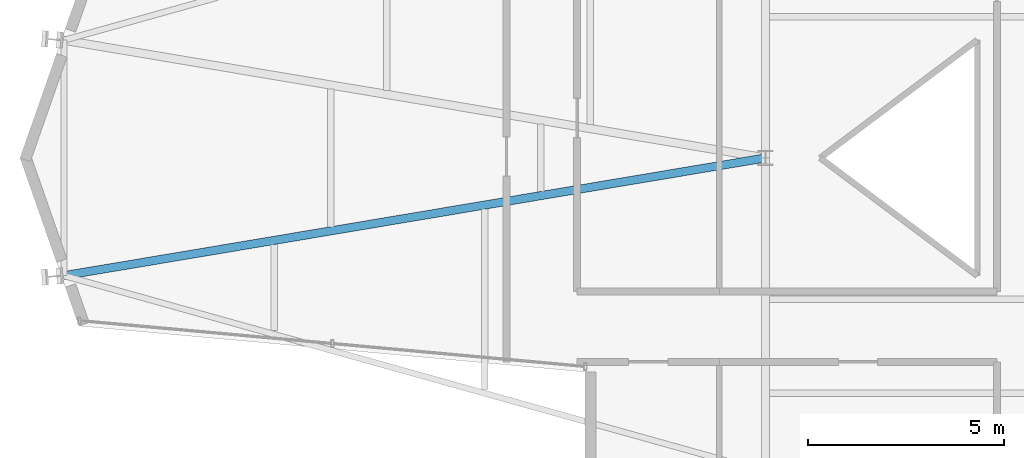
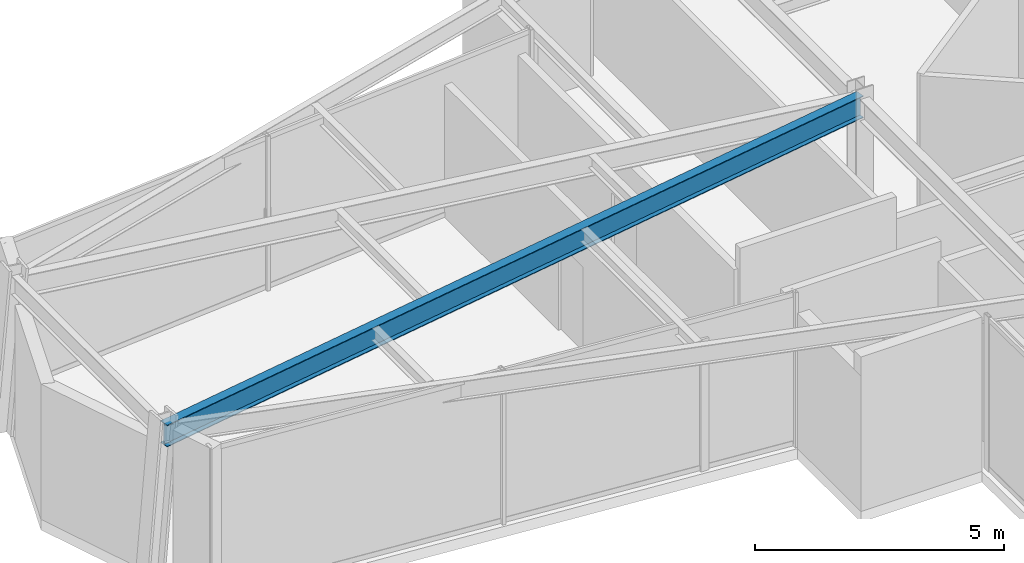
# One storey, part 5 of 23: 1 beam.
"""IFC4 building model written with IfcOpenShell, lengths in metres."""

from ifc_helpers import new_model, si_unit, direction, frame, origin, origin_2d, place, context, subcontext, project, spatial, i_section, extrude, material, material_profile, profile_set, type_object, element, save


model = new_model("IFC4")

# Units and contexts
model_context = context("Model", 3, precision=1e-05, world=origin(), true_north=direction((0.0, 1.0)))
body_context = subcontext(model_context, "Body", "Model", "MODEL_VIEW")
ifc_project = project(units=[si_unit("LENGTHUNIT", "METRE"), si_unit("AREAUNIT", "SQUARE_METRE"), si_unit("VOLUMEUNIT", "CUBIC_METRE"), si_unit("PLANEANGLEUNIT", "RADIAN"), si_unit("MASSUNIT", "GRAM", prefix="KILO")], contexts=[model_context])

# Site, building, storey
site_placement = place(None, origin())
site = spatial("IfcSite", under=ifc_project, at=site_placement, CompositionType="ELEMENT")
building_placement = place(site_placement, origin())
building = spatial("IfcBuilding", under=site, at=building_placement, Name="Veymaron Broadcast Tower", CompositionType="ELEMENT")
storey_placement = place(building_placement, frame((0.0, 0.0, 199.949951171875)))
storey = spatial("IfcBuildingStorey", under=building, at=storey_placement, Name="L46", CompositionType="ELEMENT", Elevation=199.949951171875)

# Beam
ifc_material = material(Name="Structural steel ASTM A992 Gr 50", Category="steel")
ifc_material_profile = material_profile(ifc_material, i_section(OverallWidth=0.2099609375, OverallDepth=0.537109375, WebThickness=0.010986328125, FlangeThickness=0.017333984375, at=origin_2d()), Name="W530X101")
ifc_profile_set = profile_set([ifc_material_profile], Name="Structural steel ASTM A992 Gr 50")
beam_type = type_object("IfcBeamType", Name="BM-FG3", PredefinedType="BEAM", material=ifc_profile_set)
beam_placement = place(storey_placement, frame((13.320068359375, 21.0, 3.521484375), z_axis=(0.986214273988, 0.165473278152, 0.0), x_axis=(-0.165473278152, 0.986214273988, 0.0)))
element("IfcBeam", 1, at=beam_placement, inside=storey, type_object=beam_type, Name="L46 primary structural floor girder", PredefinedType="BEAM", context=body_context, shape_type="SweptSolid", body=[
    extrude(i_section(OverallWidth=0.2099609375, OverallDepth=0.537109375, WebThickness=0.010986328125, FlangeThickness=0.017333984375, at=origin_2d()), origin(), (0.0, 0.0, 1.0), 18.1298828125),
])

save(model, "model.ifc")
